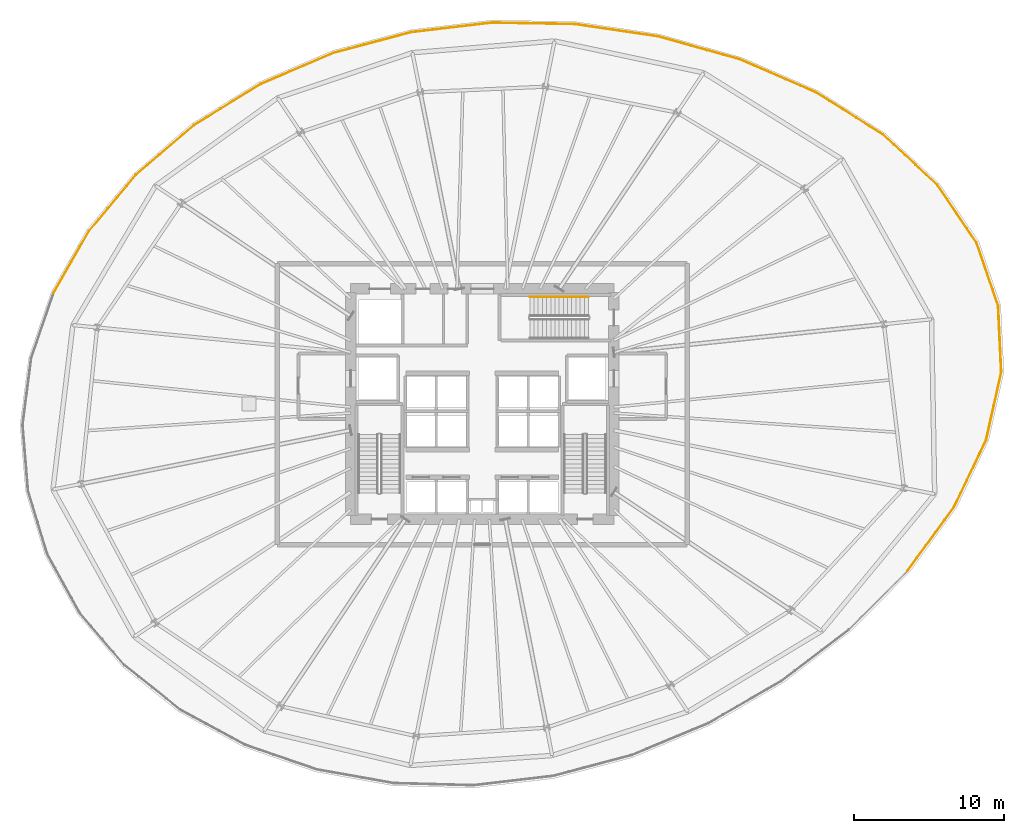
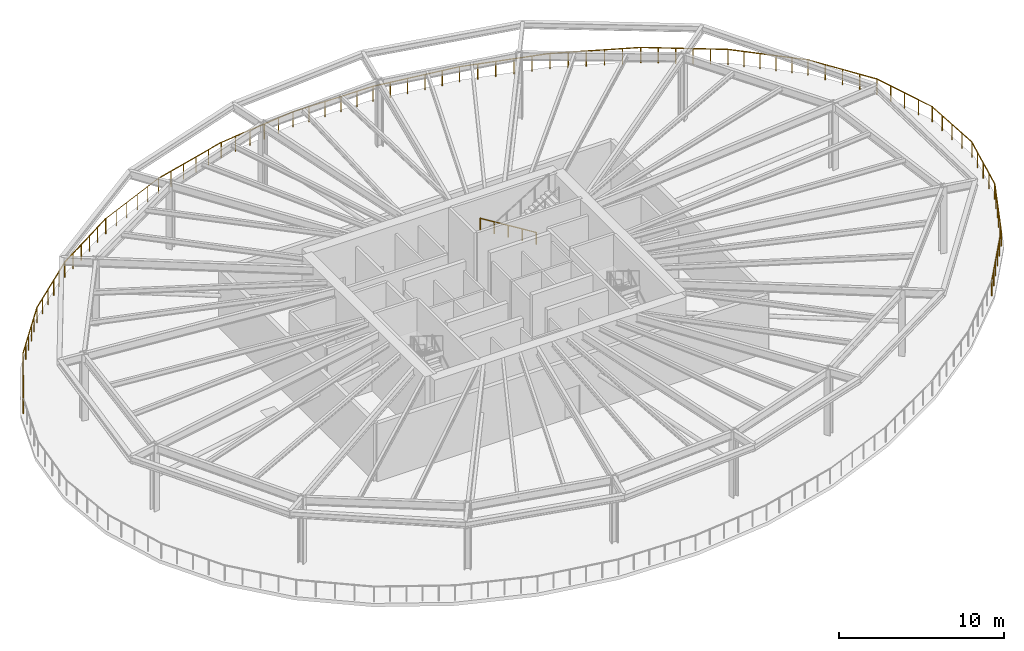
# One storey, part 9 of 9: 20 railings.
"""IFC4 building model written with IfcOpenShell, lengths in metres."""

import ifcopenshell
import ifcopenshell.guid

model = None  # the IFC model being written
_history = None  # IfcOwnerHistory: only IFC2X3 demands one
_inside = {}  # id of a spatial element -> (the spatial element, [elements in it])
_under = {}  # id of a project, library or spatial element -> (it, [spatial elements below it])
_declared = {}  # id of a project -> (the project, [libraries it declares])
_typed = {}  # id of a type object -> (the type object, [elements of that type])
_made_of = {}  # id of a material, layer set ... -> (it, [elements and type objects made of it])


def new_model(schema):
    """Start an empty IFC model of exactly this schema.

    Asked for "IFC4X3", IfcOpenShell would pick the latest addendum, in which some entities
    have other attributes; the version numbers below select the first issue.
    IFC2X3 requires an IfcOwnerHistory on every rooted entity: one is made here for all.
    """
    global model, _history
    if schema == "IFC4X3":
        model = ifcopenshell.file(schema_version=(4, 3, 0, 0))
    else:
        model = ifcopenshell.file(schema=schema)
    _inside.clear()
    _under.clear()
    _declared.clear()
    _typed.clear()
    _made_of.clear()
    _history = None
    if model.schema == "IFC2X3":
        org = make("IfcOrganization", Name="unknown")
        user = make(
            "IfcPersonAndOrganization",
            ThePerson=make("IfcPerson", FamilyName="unknown"),
            TheOrganization=org,
        )
        app = make(
            "IfcApplication",
            ApplicationDeveloper=org,
            Version="unknown",
            ApplicationFullName="unknown",
            ApplicationIdentifier="unknown",
        )
        _history = make(
            "IfcOwnerHistory",
            OwningUser=user,
            OwningApplication=app,
            ChangeAction="ADDED",
            CreationDate=0,
        )
    return model


def make(cls, **values):
    """One entity of the class cls with the attributes given. An attribute that is None is left unset."""
    return model.create_entity(
        cls, **{name: value for name, value in values.items() if value is not None}
    )


def rooted(cls, **values):
    """An entity with a GlobalId (a new one), such as an element, a storey or a relation."""
    return make(cls, GlobalId=ifcopenshell.guid.new(), OwnerHistory=_history, **values)


def si_unit(unit_type, name, prefix=None):
    """IfcSIUnit, for example si_unit("LENGTHUNIT", "METRE", prefix="MILLI")."""
    return make("IfcSIUnit", UnitType=unit_type, Prefix=prefix, Name=name)


def assignment(units):
    """IfcUnitAssignment: the units of a project."""
    return None if units is None else make("IfcUnitAssignment", Units=units)


def point(xyz):
    """IfcCartesianPoint."""
    return None if xyz is None else make("IfcCartesianPoint", Coordinates=xyz)


def direction(xyz):
    """IfcDirection."""
    return None if xyz is None else make("IfcDirection", DirectionRatios=xyz)


def frame(location, z_axis=None, x_axis=None):
    """IfcAxis2Placement3D, a coordinate frame: its origin and axes. An axis left out is left unset."""
    return make(
        "IfcAxis2Placement3D",
        Location=point(location),
        Axis=direction(z_axis),
        RefDirection=direction(x_axis),
    )


def frame_2d(location, x_axis=None):
    """IfcAxis2Placement2D, a coordinate frame in the plane: its origin and x axis."""
    return make(
        "IfcAxis2Placement2D", Location=point(location), RefDirection=direction(x_axis)
    )


def origin():
    """The frame at (0, 0, 0) with its axes left unset."""
    return frame((0.0, 0.0, 0.0))


def origin_2d():
    """The frame at (0, 0) in the plane with its x axis left unset."""
    return frame_2d((0.0, 0.0))


def place(relative_to, where):
    """IfcLocalPlacement: puts the frame where relative to a parent placement (None: the world)."""
    return make(
        "IfcLocalPlacement", PlacementRelTo=relative_to, RelativePlacement=where
    )


def context(
    kind, dimensions, precision=None, world=None, true_north=None, identifier=None
):
    """IfcGeometricRepresentationContext, for example the 3D "Model" context."""
    return make(
        "IfcGeometricRepresentationContext",
        ContextIdentifier=identifier,
        ContextType=kind,
        CoordinateSpaceDimension=dimensions,
        Precision=precision,
        WorldCoordinateSystem=world,
        TrueNorth=true_north,
    )


def subcontext(parent, identifier, kind, view, scale=None):
    """IfcGeometricRepresentationSubContext, for example "Body" below "Model"."""
    return make(
        "IfcGeometricRepresentationSubContext",
        ContextIdentifier=identifier,
        ContextType=kind,
        ParentContext=parent,
        TargetScale=scale,
        TargetView=view,
    )


def project(units=None, contexts=None):
    """IfcProject with its units and contexts."""
    return rooted(
        "IfcProject",
        Name="project",
        RepresentationContexts=contexts,
        UnitsInContext=assignment(units),
    )


def spatial(cls, under=None, at=None, **own):
    """A site, building, storey or space (cls), placed at a placement, below another one or the project."""
    s = rooted(cls, ObjectPlacement=at, **own)
    if under is not None:
        _under.setdefault(under.id(), (under, []))[1].append(s)
    return s


def profile(cls, at=None, kind="AREA", **sizes):
    """A parametric profile (cls). Its sizes go by their IFC names, for example OverallWidth=200.0."""
    return make(cls, ProfileType=kind, Position=at, **sizes)


def circle(**sizes):
    """IfcCircleProfileDef."""
    return profile("IfcCircleProfileDef", **sizes)


def extrude(swept, where, along, depth):
    """IfcExtrudedAreaSolid: the profile swept, set in the frame where, extruded along a direction by depth."""
    return make(
        "IfcExtrudedAreaSolid",
        SweptArea=swept,
        Position=where,
        ExtrudedDirection=direction(along),
        Depth=depth,
    )


def shape(context_of_items, identifier, shape_type, items):
    """IfcShapeRepresentation: the items that make up one representation, for example the "Body"."""
    return make(
        "IfcShapeRepresentation",
        ContextOfItems=context_of_items,
        RepresentationIdentifier=identifier,
        RepresentationType=shape_type,
        Items=items,
    )


def material(Name=None, Category=None):
    """IfcMaterial."""
    return make("IfcMaterial", Name=Name, Category=Category)


def made_of(thing, what):
    """Note that an element or type object is made of a material, layer set ...; save() writes the relation."""
    if what is not None:
        _made_of.setdefault(what.id(), (what, []))[1].append(thing)
    return thing


def type_object(cls, material=None, **own):
    """A type object (cls), such as IfcWallType, which elements share."""
    return made_of(rooted(cls, **own), material)


def element(
    cls,
    number,
    at=None,
    inside=None,
    cuts=None,
    type_object=None,
    material=None,
    context=None,
    identifier="Body",
    shape_type=None,
    held_by="IfcProductDefinitionShape",
    body=None,
    shapes=None,
    **own,
):
    """One element of the class cls, such as IfcWall. Its Tag is "e" and its number.

    at: its placement. inside: the storey or other place that contains it. cuts: it is an
    opening in that element (IfcRelVoidsElement). A single representation is given by context,
    identifier, shape_type and body (its items); several are given by shapes. held_by: the class
    of the entity that holds the representations. save() writes the other relations.
    """
    e = rooted(cls, Tag="e%d" % number, ObjectPlacement=at, **own)
    if body is not None:
        shapes = [shape(context, identifier, shape_type, body)]
    if shapes is not None:
        e.Representation = make(held_by, Representations=shapes)
    if inside is not None:
        _inside.setdefault(inside.id(), (inside, []))[1].append(e)
    if cuts is not None:
        rooted(
            "IfcRelVoidsElement", RelatingBuildingElement=cuts, RelatedOpeningElement=e
        )
    if type_object is not None:
        _typed.setdefault(type_object.id(), (type_object, []))[1].append(e)
    return made_of(e, material)


def aggregate(whole, parts):
    """IfcRelAggregates: a whole, such as a stair, and the parts it consists of."""
    return rooted("IfcRelAggregates", RelatingObject=whole, RelatedObjects=parts)


def save(model, path):
    """Write the relations noted so far, then the file.

    IfcRelAggregates (storeys below a building ...), IfcRelContainedInSpatialStructure (elements
    in a storey), IfcRelDefinesByType, IfcRelAssociatesMaterial and IfcRelDeclares: one each for
    every whole, place, type object, material and project.
    """
    for whole, parts in _under.values():
        aggregate(whole, parts)
    for where, things in _inside.values():
        rooted(
            "IfcRelContainedInSpatialStructure",
            RelatedElements=things,
            RelatingStructure=where,
        )
    for kind, things in _typed.values():
        rooted("IfcRelDefinesByType", RelatedObjects=things, RelatingType=kind)
    for what, things in _made_of.values():
        rooted("IfcRelAssociatesMaterial", RelatedObjects=things, RelatingMaterial=what)
    for by, libraries in _declared.values():
        rooted("IfcRelDeclares", RelatingContext=by, RelatedDefinitions=libraries)
    model.write(path)


model = new_model("IFC4")

# Units and contexts
model_context = context("Model", 3, precision=1e-05, world=origin(), true_north=direction((0.0, 1.0)))
body_context = subcontext(model_context, "Body", "Model", "MODEL_VIEW")
ifc_project = project(units=[si_unit("LENGTHUNIT", "METRE"), si_unit("AREAUNIT", "SQUARE_METRE"), si_unit("VOLUMEUNIT", "CUBIC_METRE"), si_unit("PLANEANGLEUNIT", "RADIAN"), si_unit("MASSUNIT", "GRAM", prefix="KILO"), si_unit("THERMODYNAMICTEMPERATUREUNIT", "KELVIN")], contexts=[model_context])

# Site, building, storey
site_placement = place(None, origin())
site = spatial("IfcSite", under=ifc_project, at=site_placement, CompositionType="ELEMENT")
building_placement = place(site_placement, origin())
building = spatial("IfcBuilding", under=site, at=building_placement, Name="Kethvar Cultural Tower", CompositionType="ELEMENT")
storey_placement = place(building_placement, frame((0.0, 0.0, 75.199951171875)))
storey = spatial("IfcBuildingStorey", under=building, at=storey_placement, Name="L18", CompositionType="ELEMENT", Elevation=75.199951171875)

# Railings
ifc_material = material(Name="Steel S355J2", Category="steel")
railing_type_1 = type_object("IfcRailingType", Name="RL-EXT-GUARD-1150", PredefinedType="BALUSTRADE", material=ifc_material)
railing_1_placement = place(storey_placement, frame((81.297607421875, 34.380859375, 0.0)))
element("IfcRailing", 1, at=railing_1_placement, inside=storey, type_object=railing_type_1, Name="L18 Open Wind-Floor Perimeter Guard 01", PredefinedType="BALUSTRADE", context=body_context, shape_type="SweptSolid", body=[
    extrude(circle(Radius=0.02392578125, at=origin_2d()), frame((0.0, 0.0, 1.1259765625), z_axis=(-0.32433274251, 0.945943059669, 0.0), x_axis=(-0.945943059669, -0.32433274251, 0.0)), (0.0, 0.0, 1.0), 4.44873046875),
    extrude(circle(Radius=0.02099609375, at=origin_2d()), origin(), (0.0, 0.0, 1.0), 1.101806640625),
    extrude(circle(Radius=0.02099609375, at=origin_2d()), frame((-0.36083984375, 1.052001953125, 0.0)), (0.0, 0.0, 1.0), 1.101806640625),
    extrude(circle(Radius=0.02099609375, at=origin_2d()), frame((-0.721435546875, 2.10400390625, 0.0)), (0.0, 0.0, 1.0), 1.101806640625),
    extrude(circle(Radius=0.02099609375, at=origin_2d()), frame((-1.08203125, 3.15625, 0.0)), (0.0, 0.0, 1.0), 1.101806640625),
    extrude(circle(Radius=0.02099609375, at=origin_2d()), frame((-1.44287109375, 4.208251953125, 0.0)), (0.0, 0.0, 1.0), 1.101806640625),
])
railing_2_placement = place(storey_placement, frame((79.854736328125, 38.589111328125, 0.0)))
element("IfcRailing", 2, at=railing_2_placement, inside=storey, type_object=railing_type_1, Name="L18 Open Wind-Floor Perimeter Guard 02", PredefinedType="BALUSTRADE", context=body_context, shape_type="SweptSolid", body=[
    extrude(circle(Radius=0.02392578125, at=origin_2d()), frame((0.0, 0.0, 1.1259765625), z_axis=(-0.561790188459, 0.827279749632, 0.0), x_axis=(-0.827279749632, -0.561790188459, 0.0)), (0.0, 0.0, 1.0), 4.6513671875),
    extrude(circle(Radius=0.02099609375, at=origin_2d()), origin(), (0.0, 0.0, 1.0), 1.101806640625),
    extrude(circle(Radius=0.02099609375, at=origin_2d()), frame((-0.6533203125, 0.9619140625, 0.0)), (0.0, 0.0, 1.0), 1.101806640625),
    extrude(circle(Radius=0.02099609375, at=origin_2d()), frame((-1.306640625, 1.923828125, 0.0)), (0.0, 0.0, 1.0), 1.101806640625),
    extrude(circle(Radius=0.02099609375, at=origin_2d()), frame((-1.959716796875, 2.885986328125, 0.0)), (0.0, 0.0, 1.0), 1.101806640625),
    extrude(circle(Radius=0.02099609375, at=origin_2d()), frame((-2.613037109375, 3.847900390625, 0.0)), (0.0, 0.0, 1.0), 1.101806640625),
])
railing_3_placement = place(storey_placement, frame((77.24169921875, 42.43701171875, 0.0)))
element("IfcRailing", 3, at=railing_3_placement, inside=storey, type_object=railing_type_1, Name="L18 Open Wind-Floor Perimeter Guard 03", PredefinedType="BALUSTRADE", context=body_context, shape_type="SweptSolid", body=[
    extrude(circle(Radius=0.02392578125, at=origin_2d()), frame((0.0, 0.0, 1.1259765625), z_axis=(-0.733179990243, 0.680034632874, 0.0), x_axis=(-0.680034632874, -0.733179990243, 0.0)), (0.0, 0.0, 1.0), 4.970458984375),
    extrude(circle(Radius=0.02099609375, at=origin_2d()), origin(), (0.0, 0.0, 1.0), 1.101806640625),
    extrude(circle(Radius=0.02099609375, at=origin_2d()), frame((-0.728759765625, 0.676025390625, 0.0)), (0.0, 0.0, 1.0), 1.101806640625),
    extrude(circle(Radius=0.02099609375, at=origin_2d()), frame((-1.457763671875, 1.35205078125, 0.0)), (0.0, 0.0, 1.0), 1.101806640625),
    extrude(circle(Radius=0.02099609375, at=origin_2d()), frame((-2.1865234375, 2.028076171875, 0.0)), (0.0, 0.0, 1.0), 1.101806640625),
    extrude(circle(Radius=0.02099609375, at=origin_2d()), frame((-2.91552734375, 2.7041015625, 0.0)), (0.0, 0.0, 1.0), 1.101806640625),
    extrude(circle(Radius=0.02099609375, at=origin_2d()), frame((-3.644287109375, 3.380126953125, 0.0)), (0.0, 0.0, 1.0), 1.101806640625),
])
railing_4_placement = place(storey_placement, frame((73.597412109375, 45.817138671875, 0.0)))
element("IfcRailing", 4, at=railing_4_placement, inside=storey, type_object=railing_type_1, Name="L18 Open Wind-Floor Perimeter Guard 04", PredefinedType="BALUSTRADE", context=body_context, shape_type="SweptSolid", body=[
    extrude(circle(Radius=0.02392578125, at=origin_2d()), frame((0.0, 0.0, 1.1259765625), z_axis=(-0.845758277418, 0.533566243477, 0.0), x_axis=(-0.533566243477, -0.845758277418, 0.0)), (0.0, 0.0, 1.0), 5.2958984375),
    extrude(circle(Radius=0.02099609375, at=origin_2d()), origin(), (0.0, 0.0, 1.0), 1.101806640625),
    extrude(circle(Radius=0.02099609375, at=origin_2d()), frame((-0.895751953125, 0.565185546875, 0.0)), (0.0, 0.0, 1.0), 1.101806640625),
    extrude(circle(Radius=0.02099609375, at=origin_2d()), frame((-1.79150390625, 1.13037109375, 0.0)), (0.0, 0.0, 1.0), 1.101806640625),
    extrude(circle(Radius=0.02099609375, at=origin_2d()), frame((-2.6875, 1.6953125, 0.0)), (0.0, 0.0, 1.0), 1.101806640625),
    extrude(circle(Radius=0.02099609375, at=origin_2d()), frame((-3.583251953125, 2.260498046875, 0.0)), (0.0, 0.0, 1.0), 1.101806640625),
    extrude(circle(Radius=0.02099609375, at=origin_2d()), frame((-4.47900390625, 2.82568359375, 0.0)), (0.0, 0.0, 1.0), 1.101806640625),
])
railing_5_placement = place(storey_placement, frame((69.118408203125, 48.642822265625, 0.0)))
element("IfcRailing", 5, at=railing_5_placement, inside=storey, type_object=railing_type_1, Name="L18 Open Wind-Floor Perimeter Guard 05", PredefinedType="BALUSTRADE", context=body_context, shape_type="SweptSolid", body=[
    extrude(circle(Radius=0.02392578125, at=origin_2d()), frame((0.0, 0.0, 1.1259765625), z_axis=(-0.917468248837, 0.39780901495, 0.0), x_axis=(-0.39780901495, -0.917468248837, 0.0)), (0.0, 0.0, 1.0), 5.5400390625),
    extrude(circle(Radius=0.02099609375, at=origin_2d()), origin(), (0.0, 0.0, 1.0), 1.101806640625),
    extrude(circle(Radius=0.02099609375, at=origin_2d()), frame((-1.0166015625, 0.440673828125, 0.0)), (0.0, 0.0, 1.0), 1.101806640625),
    extrude(circle(Radius=0.02099609375, at=origin_2d()), frame((-2.033203125, 0.881591796875, 0.0)), (0.0, 0.0, 1.0), 1.101806640625),
    extrude(circle(Radius=0.02099609375, at=origin_2d()), frame((-3.049560546875, 1.322265625, 0.0)), (0.0, 0.0, 1.0), 1.101806640625),
    extrude(circle(Radius=0.02099609375, at=origin_2d()), frame((-4.066162109375, 1.76318359375, 0.0)), (0.0, 0.0, 1.0), 1.101806640625),
    extrude(circle(Radius=0.02099609375, at=origin_2d()), frame((-5.082763671875, 2.203857421875, 0.0)), (0.0, 0.0, 1.0), 1.101806640625),
])
railing_6_placement = place(storey_placement, frame((64.03564453125, 50.8466796875, 0.0)))
element("IfcRailing", 6, at=railing_6_placement, inside=storey, type_object=railing_type_1, Name="L18 Open Wind-Floor Perimeter Guard 06", PredefinedType="BALUSTRADE", context=body_context, shape_type="SweptSolid", body=[
    extrude(circle(Radius=0.02392578125, at=origin_2d()), frame((0.0, 0.0, 1.1259765625), z_axis=(-0.96265058873, 0.270746826421, 0.0), x_axis=(-0.270746826421, -0.96265058873, 0.0)), (0.0, 0.0, 1.0), 5.658447265625),
    extrude(circle(Radius=0.02099609375, at=origin_2d()), origin(), (0.0, 0.0, 1.0), 1.101806640625),
    extrude(circle(Radius=0.02099609375, at=origin_2d()), frame((-1.08935546875, 0.306396484375, 0.0)), (0.0, 0.0, 1.0), 1.101806640625),
    extrude(circle(Radius=0.02099609375, at=origin_2d()), frame((-2.1787109375, 0.61279296875, 0.0)), (0.0, 0.0, 1.0), 1.101806640625),
    extrude(circle(Radius=0.02099609375, at=origin_2d()), frame((-3.268310546875, 0.919189453125, 0.0)), (0.0, 0.0, 1.0), 1.101806640625),
    extrude(circle(Radius=0.02099609375, at=origin_2d()), frame((-4.357666015625, 1.2255859375, 0.0)), (0.0, 0.0, 1.0), 1.101806640625),
    extrude(circle(Radius=0.02099609375, at=origin_2d()), frame((-5.447021484375, 1.531982421875, 0.0)), (0.0, 0.0, 1.0), 1.101806640625),
])
railing_7_placement = place(storey_placement, frame((58.588623046875, 52.378662109375, 0.0)))
element("IfcRailing", 7, at=railing_7_placement, inside=storey, type_object=railing_type_1, Name="L18 Open Wind-Floor Perimeter Guard 07", PredefinedType="BALUSTRADE", context=body_context, shape_type="SweptSolid", body=[
    extrude(circle(Radius=0.02392578125, at=origin_2d()), frame((0.0, 0.0, 1.1259765625), z_axis=(-0.989253512344, 0.14621042478, 0.0), x_axis=(-0.14621042478, -0.989253512344, 0.0)), (0.0, 0.0, 1.0), 5.650634765625),
    extrude(circle(Radius=0.02099609375, at=origin_2d()), origin(), (0.0, 0.0, 1.0), 1.101806640625),
    extrude(circle(Radius=0.02099609375, at=origin_2d()), frame((-1.117919921875, 0.165283203125, 0.0)), (0.0, 0.0, 1.0), 1.101806640625),
    extrude(circle(Radius=0.02099609375, at=origin_2d()), frame((-2.23583984375, 0.33056640625, 0.0)), (0.0, 0.0, 1.0), 1.101806640625),
    extrude(circle(Radius=0.02099609375, at=origin_2d()), frame((-3.35400390625, 0.49560546875, 0.0)), (0.0, 0.0, 1.0), 1.101806640625),
    extrude(circle(Radius=0.02099609375, at=origin_2d()), frame((-4.471923828125, 0.660888671875, 0.0)), (0.0, 0.0, 1.0), 1.101806640625),
    extrude(circle(Radius=0.02099609375, at=origin_2d()), frame((-5.58984375, 0.826171875, 0.0)), (0.0, 0.0, 1.0), 1.101806640625),
])
railing_8_placement = place(storey_placement, frame((52.998779296875, 53.204833984375, 0.0)))
element("IfcRailing", 8, at=railing_8_placement, inside=storey, type_object=railing_type_1, Name="L18 Open Wind-Floor Perimeter Guard 08", PredefinedType="BALUSTRADE", context=body_context, shape_type="SweptSolid", body=[
    extrude(circle(Radius=0.02392578125, at=origin_2d()), frame((0.0, 0.0, 1.1259765625), z_axis=(-0.999838278212, 0.017983810009, 0.0), x_axis=(-0.017983810009, -0.999838278212, 0.0)), (0.0, 0.0, 1.0), 5.552490234375),
    extrude(circle(Radius=0.02099609375, at=origin_2d()), origin(), (0.0, 0.0, 1.0), 1.101806640625),
    extrude(circle(Radius=0.02099609375, at=origin_2d()), frame((-1.1103515625, 0.02001953125, 0.0)), (0.0, 0.0, 1.0), 1.101806640625),
    extrude(circle(Radius=0.02099609375, at=origin_2d()), frame((-2.220703125, 0.0400390625, 0.0)), (0.0, 0.0, 1.0), 1.101806640625),
    extrude(circle(Radius=0.02099609375, at=origin_2d()), frame((-3.330810546875, 0.059814453125, 0.0)), (0.0, 0.0, 1.0), 1.101806640625),
    extrude(circle(Radius=0.02099609375, at=origin_2d()), frame((-4.441162109375, 0.079833984375, 0.0)), (0.0, 0.0, 1.0), 1.101806640625),
    extrude(circle(Radius=0.02099609375, at=origin_2d()), frame((-5.551513671875, 0.099853515625, 0.0)), (0.0, 0.0, 1.0), 1.101806640625),
])
railing_9_placement = place(storey_placement, frame((47.447265625, 53.3046875, 0.0)))
element("IfcRailing", 9, at=railing_9_placement, inside=storey, type_object=railing_type_1, Name="L18 Open Wind-Floor Perimeter Guard 09", PredefinedType="BALUSTRADE", context=body_context, shape_type="SweptSolid", body=[
    extrude(circle(Radius=0.02392578125, at=origin_2d()), frame((0.0, 0.0, 1.1259765625), z_axis=(-0.993060362993, -0.117605762838, 0.0), x_axis=(0.117605762838, -0.993060362993, 0.0)), (0.0, 0.0, 1.0), 5.428466796875),
    extrude(circle(Radius=0.02099609375, at=origin_2d()), origin(), (0.0, 0.0, 1.0), 1.101806640625),
    extrude(circle(Radius=0.02099609375, at=origin_2d()), frame((-1.078125, -0.127685546875, 0.0)), (0.0, 0.0, 1.0), 1.101806640625),
    extrude(circle(Radius=0.02099609375, at=origin_2d()), frame((-2.15625, -0.25537109375, 0.0)), (0.0, 0.0, 1.0), 1.101806640625),
    extrude(circle(Radius=0.02099609375, at=origin_2d()), frame((-3.234619140625, -0.383056640625, 0.0)), (0.0, 0.0, 1.0), 1.101806640625),
    extrude(circle(Radius=0.02099609375, at=origin_2d()), frame((-4.312744140625, -0.5107421875, 0.0)), (0.0, 0.0, 1.0), 1.101806640625),
    extrude(circle(Radius=0.02099609375, at=origin_2d()), frame((-5.390869140625, -0.638427734375, 0.0)), (0.0, 0.0, 1.0), 1.101806640625),
])
railing_10_placement = place(storey_placement, frame((42.056396484375, 52.666259765625, 0.0)))
element("IfcRailing", 10, at=railing_10_placement, inside=storey, type_object=railing_type_1, Name="L18 Open Wind-Floor Perimeter Guard 10", PredefinedType="BALUSTRADE", context=body_context, shape_type="SweptSolid", body=[
    extrude(circle(Radius=0.02392578125, at=origin_2d()), frame((0.0, 0.0, 1.1259765625), z_axis=(-0.966426121965, -0.256944645368, 0.0), x_axis=(0.256944645368, -0.966426121965, 0.0)), (0.0, 0.0, 1.0), 5.3759765625),
    extrude(circle(Radius=0.02099609375, at=origin_2d()), origin(), (0.0, 0.0, 1.0), 1.101806640625),
    extrude(circle(Radius=0.02099609375, at=origin_2d()), frame((-1.0390625, -0.2763671875, 0.0)), (0.0, 0.0, 1.0), 1.101806640625),
    extrude(circle(Radius=0.02099609375, at=origin_2d()), frame((-2.078125, -0.552490234375, 0.0)), (0.0, 0.0, 1.0), 1.101806640625),
    extrude(circle(Radius=0.02099609375, at=origin_2d()), frame((-3.117431640625, -0.828857421875, 0.0)), (0.0, 0.0, 1.0), 1.101806640625),
    extrude(circle(Radius=0.02099609375, at=origin_2d()), frame((-4.156494140625, -1.10498046875, 0.0)), (0.0, 0.0, 1.0), 1.101806640625),
    extrude(circle(Radius=0.02099609375, at=origin_2d()), frame((-5.195556640625, -1.38134765625, 0.0)), (0.0, 0.0, 1.0), 1.101806640625),
])
railing_11_placement = place(storey_placement, frame((36.86083984375, 51.284912109375, 0.0)))
element("IfcRailing", 11, at=railing_11_placement, inside=storey, type_object=railing_type_1, Name="L18 Open Wind-Floor Perimeter Guard 11", PredefinedType="BALUSTRADE", context=body_context, shape_type="SweptSolid", body=[
    extrude(circle(Radius=0.02392578125, at=origin_2d()), frame((0.0, 0.0, 1.1259765625), z_axis=(-0.919495679813, -0.393100107866, 0.0), x_axis=(0.393100107866, -0.919495679813, 0.0)), (0.0, 0.0, 1.0), 5.324462890625),
    extrude(circle(Radius=0.02099609375, at=origin_2d()), origin(), (0.0, 0.0, 1.0), 1.101806640625),
    extrude(circle(Radius=0.02099609375, at=origin_2d()), frame((-0.979248046875, -0.418701171875, 0.0)), (0.0, 0.0, 1.0), 1.101806640625),
    extrude(circle(Radius=0.02099609375, at=origin_2d()), frame((-1.958251953125, -0.837158203125, 0.0)), (0.0, 0.0, 1.0), 1.101806640625),
    extrude(circle(Radius=0.02099609375, at=origin_2d()), frame((-2.9375, -1.255859375, 0.0)), (0.0, 0.0, 1.0), 1.101806640625),
    extrude(circle(Radius=0.02099609375, at=origin_2d()), frame((-3.91650390625, -1.67431640625, 0.0)), (0.0, 0.0, 1.0), 1.101806640625),
    extrude(circle(Radius=0.02099609375, at=origin_2d()), frame((-4.895751953125, -2.093017578125, 0.0)), (0.0, 0.0, 1.0), 1.101806640625),
])
railing_12_placement = place(storey_placement, frame((31.965087890625, 49.19189453125, 0.0)))
element("IfcRailing", 12, at=railing_12_placement, inside=storey, type_object=railing_type_1, Name="L18 Open Wind-Floor Perimeter Guard 12", PredefinedType="BALUSTRADE", context=body_context, shape_type="SweptSolid", body=[
    extrude(circle(Radius=0.02392578125, at=origin_2d()), frame((0.0, 0.0, 1.1259765625), z_axis=(-0.851154168805, -0.524915784604, 0.0), x_axis=(0.524915784604, -0.851154168805, 0.0)), (0.0, 0.0, 1.0), 5.22509765625),
    extrude(circle(Radius=0.02099609375, at=origin_2d()), origin(), (0.0, 0.0, 1.0), 1.101806640625),
    extrude(circle(Radius=0.02099609375, at=origin_2d()), frame((-0.889404296875, -0.548583984375, 0.0)), (0.0, 0.0, 1.0), 1.101806640625),
    extrude(circle(Radius=0.02099609375, at=origin_2d()), frame((-1.77880859375, -1.09716796875, 0.0)), (0.0, 0.0, 1.0), 1.101806640625),
    extrude(circle(Radius=0.02099609375, at=origin_2d()), frame((-2.66845703125, -1.6455078125, 0.0)), (0.0, 0.0, 1.0), 1.101806640625),
    extrude(circle(Radius=0.02099609375, at=origin_2d()), frame((-3.557861328125, -2.194091796875, 0.0)), (0.0, 0.0, 1.0), 1.101806640625),
    extrude(circle(Radius=0.02099609375, at=origin_2d()), frame((-4.447265625, -2.74267578125, 0.0)), (0.0, 0.0, 1.0), 1.101806640625),
])
railing_13_placement = place(storey_placement, frame((27.517822265625, 46.44921875, 0.0)))
element("IfcRailing", 13, at=railing_13_placement, inside=storey, type_object=railing_type_1, Name="L18 Open Wind-Floor Perimeter Guard 13", PredefinedType="BALUSTRADE", context=body_context, shape_type="SweptSolid", body=[
    extrude(circle(Radius=0.02392578125, at=origin_2d()), frame((0.0, 0.0, 1.1259765625), z_axis=(-0.759402230332, -0.65062143568, 0.0), x_axis=(0.65062143568, -0.759402230332, 0.0)), (0.0, 0.0, 1.0), 5.087890625),
    extrude(circle(Radius=0.02099609375, at=origin_2d()), origin(), (0.0, 0.0, 1.0), 1.101806640625),
    extrude(circle(Radius=0.02099609375, at=origin_2d()), frame((-0.772705078125, -0.662109375, 0.0)), (0.0, 0.0, 1.0), 1.101806640625),
    extrude(circle(Radius=0.02099609375, at=origin_2d()), frame((-1.54541015625, -1.32421875, 0.0)), (0.0, 0.0, 1.0), 1.101806640625),
    extrude(circle(Radius=0.02099609375, at=origin_2d()), frame((-2.318359375, -1.986083984375, 0.0)), (0.0, 0.0, 1.0), 1.101806640625),
    extrude(circle(Radius=0.02099609375, at=origin_2d()), frame((-3.091064453125, -2.648193359375, 0.0)), (0.0, 0.0, 1.0), 1.101806640625),
    extrude(circle(Radius=0.02099609375, at=origin_2d()), frame((-3.86376953125, -3.310302734375, 0.0)), (0.0, 0.0, 1.0), 1.101806640625),
])
railing_14_placement = place(storey_placement, frame((23.654052734375, 43.138916015625, 0.0)))
element("IfcRailing", 14, at=railing_14_placement, inside=storey, type_object=railing_type_1, Name="L18 Open Wind-Floor Perimeter Guard 14", PredefinedType="BALUSTRADE", context=body_context, shape_type="SweptSolid", body=[
    extrude(circle(Radius=0.02392578125, at=origin_2d()), frame((0.0, 0.0, 1.1259765625), z_axis=(-0.641796392733, -0.766875081271, 0.0), x_axis=(0.766875081271, -0.641796392733, 0.0)), (0.0, 0.0, 1.0), 4.926513671875),
    extrude(circle(Radius=0.02099609375, at=origin_2d()), origin(), (0.0, 0.0, 1.0), 1.101806640625),
    extrude(circle(Radius=0.02099609375, at=origin_2d()), frame((-0.63232421875, -0.755615234375, 0.0)), (0.0, 0.0, 1.0), 1.101806640625),
    extrude(circle(Radius=0.02099609375, at=origin_2d()), frame((-1.2646484375, -1.51123046875, 0.0)), (0.0, 0.0, 1.0), 1.101806640625),
    extrude(circle(Radius=0.02099609375, at=origin_2d()), frame((-1.897216796875, -2.266845703125, 0.0)), (0.0, 0.0, 1.0), 1.101806640625),
    extrude(circle(Radius=0.02099609375, at=origin_2d()), frame((-2.529541015625, -3.0224609375, 0.0)), (0.0, 0.0, 1.0), 1.101806640625),
    extrude(circle(Radius=0.02099609375, at=origin_2d()), frame((-3.161865234375, -3.778076171875, 0.0)), (0.0, 0.0, 1.0), 1.101806640625),
])
railing_15_placement = place(storey_placement, frame((20.4921875, 39.36083984375, 0.0)))
element("IfcRailing", 15, at=railing_15_placement, inside=storey, type_object=railing_type_1, Name="L18 Open Wind-Floor Perimeter Guard 15", PredefinedType="BALUSTRADE", context=body_context, shape_type="SweptSolid", body=[
    extrude(circle(Radius=0.02392578125, at=origin_2d()), frame((0.0, 0.0, 1.1259765625), z_axis=(-0.496459318013, -0.868059989608, 0.0), x_axis=(0.868059989608, -0.496459318013, 0.0)), (0.0, 0.0, 1.0), 4.75927734375),
    extrude(circle(Radius=0.02099609375, at=origin_2d()), origin(), (0.0, 0.0, 1.0), 1.101806640625),
    extrude(circle(Radius=0.02099609375, at=origin_2d()), frame((-0.5908203125, -1.03271484375, 0.0)), (0.0, 0.0, 1.0), 1.101806640625),
    extrude(circle(Radius=0.02099609375, at=origin_2d()), frame((-1.181396484375, -2.065673828125, 0.0)), (0.0, 0.0, 1.0), 1.101806640625),
    extrude(circle(Radius=0.02099609375, at=origin_2d()), frame((-1.77197265625, -3.0986328125, 0.0)), (0.0, 0.0, 1.0), 1.101806640625),
    extrude(circle(Radius=0.02099609375, at=origin_2d()), frame((-2.36279296875, -4.13134765625, 0.0)), (0.0, 0.0, 1.0), 1.101806640625),
])
railing_16_placement = place(storey_placement, frame((75.22412109375, 16.63671875, 0.0)))
element("IfcRailing", 16, at=railing_16_placement, inside=storey, type_object=railing_type_1, Name="L18 Open Wind-Floor Perimeter Guard 33", PredefinedType="BALUSTRADE", context=body_context, shape_type="SweptSolid", body=[
    extrude(circle(Radius=0.02392578125, at=origin_2d()), frame((0.0, 0.0, 1.1259765625), z_axis=(0.589913712156, 0.807466291686, 0.0), x_axis=(-0.807466291686, 0.589913712156, 0.0)), (0.0, 0.0, 1.0), 5.295654296875),
    extrude(circle(Radius=0.02099609375, at=origin_2d()), origin(), (0.0, 0.0, 1.0), 1.101806640625),
    extrude(circle(Radius=0.02099609375, at=origin_2d()), frame((0.624755859375, 0.855224609375, 0.0)), (0.0, 0.0, 1.0), 1.101806640625),
    extrude(circle(Radius=0.02099609375, at=origin_2d()), frame((1.24951171875, 1.71044921875, 0.0)), (0.0, 0.0, 1.0), 1.101806640625),
    extrude(circle(Radius=0.02099609375, at=origin_2d()), frame((1.87451171875, 2.565673828125, 0.0)), (0.0, 0.0, 1.0), 1.101806640625),
    extrude(circle(Radius=0.02099609375, at=origin_2d()), frame((2.499267578125, 3.4208984375, 0.0)), (0.0, 0.0, 1.0), 1.101806640625),
    extrude(circle(Radius=0.02099609375, at=origin_2d()), frame((3.1240234375, 4.276123046875, 0.0)), (0.0, 0.0, 1.0), 1.101806640625),
])
railing_17_placement = place(storey_placement, frame((78.34814453125, 20.912841796875, 0.0)))
element("IfcRailing", 17, at=railing_17_placement, inside=storey, type_object=railing_type_1, Name="L18 Open Wind-Floor Perimeter Guard 34", PredefinedType="BALUSTRADE", context=body_context, shape_type="SweptSolid", body=[
    extrude(circle(Radius=0.02392578125, at=origin_2d()), frame((0.0, 0.0, 1.1259765625), z_axis=(0.431347738524, 0.902185750536, 0.0), x_axis=(-0.902185750536, 0.431347738524, 0.0)), (0.0, 0.0, 1.0), 4.970458984375),
    extrude(circle(Radius=0.02099609375, at=origin_2d()), origin(), (0.0, 0.0, 1.0), 1.101806640625),
    extrude(circle(Radius=0.02099609375, at=origin_2d()), frame((0.4287109375, 0.89697265625, 0.0)), (0.0, 0.0, 1.0), 1.101806640625),
    extrude(circle(Radius=0.02099609375, at=origin_2d()), frame((0.857666015625, 1.793701171875, 0.0)), (0.0, 0.0, 1.0), 1.101806640625),
    extrude(circle(Radius=0.02099609375, at=origin_2d()), frame((1.286376953125, 2.690673828125, 0.0)), (0.0, 0.0, 1.0), 1.101806640625),
    extrude(circle(Radius=0.02099609375, at=origin_2d()), frame((1.71533203125, 3.58740234375, 0.0)), (0.0, 0.0, 1.0), 1.101806640625),
    extrude(circle(Radius=0.02099609375, at=origin_2d()), frame((2.14404296875, 4.484375, 0.0)), (0.0, 0.0, 1.0), 1.101806640625),
])
railing_18_placement = place(storey_placement, frame((80.4921875, 25.397216796875, 0.0)))
element("IfcRailing", 18, at=railing_18_placement, inside=storey, type_object=railing_type_1, Name="L18 Open Wind-Floor Perimeter Guard 35", PredefinedType="BALUSTRADE", context=body_context, shape_type="SweptSolid", body=[
    extrude(circle(Radius=0.02392578125, at=origin_2d()), frame((0.0, 0.0, 1.1259765625), z_axis=(0.217841871691, 0.975984077195, 0.0), x_axis=(-0.975984077195, 0.217841871691, 0.0)), (0.0, 0.0, 1.0), 4.651123046875),
    extrude(circle(Radius=0.02099609375, at=origin_2d()), origin(), (0.0, 0.0, 1.0), 1.101806640625),
    extrude(circle(Radius=0.02099609375, at=origin_2d()), frame((0.25341796875, 1.134765625, 0.0)), (0.0, 0.0, 1.0), 1.101806640625),
    extrude(circle(Radius=0.02099609375, at=origin_2d()), frame((0.506591796875, 2.26953125, 0.0)), (0.0, 0.0, 1.0), 1.101806640625),
    extrude(circle(Radius=0.02099609375, at=origin_2d()), frame((0.759765625, 3.404541015625, 0.0)), (0.0, 0.0, 1.0), 1.101806640625),
    extrude(circle(Radius=0.02099609375, at=origin_2d()), frame((1.01318359375, 4.539306640625, 0.0)), (0.0, 0.0, 1.0), 1.101806640625),
])
railing_19_placement = place(storey_placement, frame((81.50537109375, 29.9365234375, 0.0)))
element("IfcRailing", 19, at=railing_19_placement, inside=storey, type_object=railing_type_1, Name="L18 Open Wind-Floor Perimeter Guard 36", PredefinedType="BALUSTRADE", context=body_context, shape_type="SweptSolid", body=[
    extrude(circle(Radius=0.02392578125, at=origin_2d()), frame((0.0, 0.0, 1.1259765625), z_axis=(-0.04669697019, 0.998909101458, 0.0), x_axis=(-0.998909101458, -0.04669697019, 0.0)), (0.0, 0.0, 1.0), 4.44921875),
    extrude(circle(Radius=0.02099609375, at=origin_2d()), origin(), (0.0, 0.0, 1.0), 1.101806640625),
    extrude(circle(Radius=0.02099609375, at=origin_2d()), frame((-0.052001953125, 1.111083984375, 0.0)), (0.0, 0.0, 1.0), 1.101806640625),
    extrude(circle(Radius=0.02099609375, at=origin_2d()), frame((-0.10400390625, 2.22216796875, 0.0)), (0.0, 0.0, 1.0), 1.101806640625),
    extrude(circle(Radius=0.02099609375, at=origin_2d()), frame((-0.15576171875, 3.333251953125, 0.0)), (0.0, 0.0, 1.0), 1.101806640625),
    extrude(circle(Radius=0.02099609375, at=origin_2d()), frame((-0.207763671875, 4.4443359375, 0.0)), (0.0, 0.0, 1.0), 1.101806640625),
])
railing_type_2 = type_object("IfcRailingType", Name="RL-STAIR-HANDRAIL", PredefinedType="HANDRAIL", material=ifc_material)
railing_20_placement = place(storey_placement, frame((53.89990234375, 34.9599609375, 0.17333984375)))
element("IfcRailing", 20, at=railing_20_placement, inside=storey, type_object=railing_type_2, Name="L18 ST-03 stair handrail 1", PredefinedType="HANDRAIL", context=body_context, shape_type="SweptSolid", body=[
    extrude(circle(Radius=0.02392578125, at=origin_2d()), frame((0.0, 0.0, 0.8759765625), z_axis=(-0.850251603719, 0.0, 0.526376491091), x_axis=(0.0, -1.0, 0.0)), (0.0, 0.0, 1.0), 4.6103515625),
    extrude(circle(Radius=0.02099609375, at=origin_2d()), origin(), (0.0, 0.0, 1.0), 0.851806640625),
    extrude(circle(Radius=0.02099609375, at=origin_2d()), frame((-0.97998046875, 0.0, 0.606689453125)), (0.0, 0.0, 1.0), 0.851806640625),
    extrude(circle(Radius=0.02099609375, at=origin_2d()), frame((-1.9599609375, 0.0, 1.21337890625)), (0.0, 0.0, 1.0), 0.851806640625),
    extrude(circle(Radius=0.02099609375, at=origin_2d()), frame((-2.93994140625, 0.0, 1.820068359375)), (0.0, 0.0, 1.0), 0.851806640625),
    extrude(circle(Radius=0.02099609375, at=origin_2d()), frame((-3.919921875, 0.0, 2.4267578125)), (0.0, 0.0, 1.0), 0.851806640625),
])

save(model, "model.ifc")
